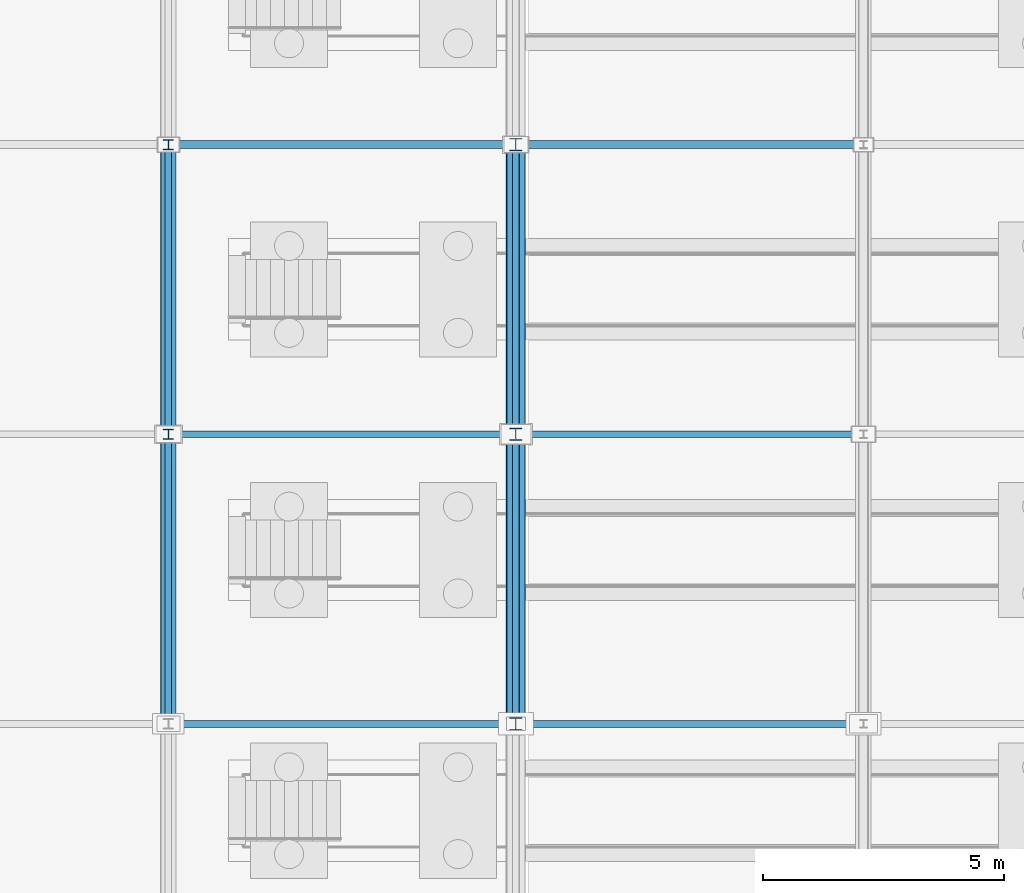
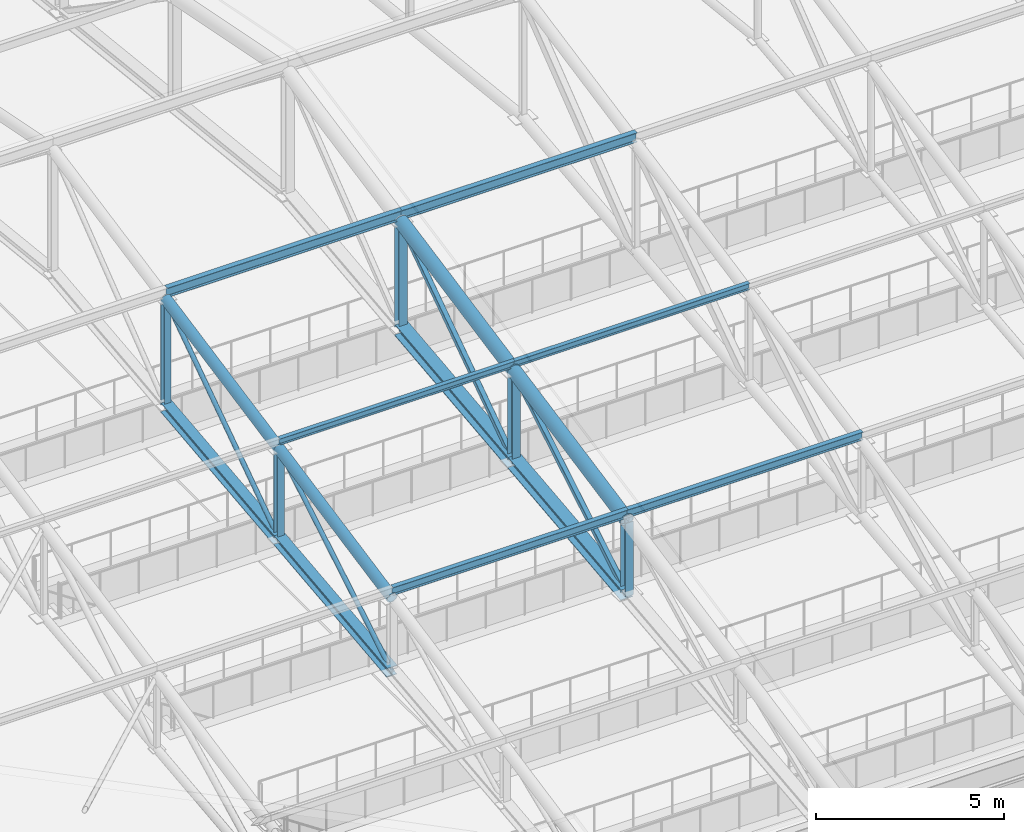
# One storey, part 119 of 293: 23 members.
"""IFC4 building model written with IfcOpenShell, lengths in metres."""

from ifc_helpers import new_model, si_unit, direction, frame, origin, origin_2d, place, context, subcontext, project, spatial, hollow_rectangle, hollow_circle, i_section, extrude, material, material_profile, profile_set, type_object, element, save


model = new_model("IFC4")

# Units and contexts
model_context = context("Model", 3, precision=1e-05, world=origin(), true_north=direction((0.0, 1.0)))
body_context = subcontext(model_context, "Body", "Model", "MODEL_VIEW")
ifc_project = project(units=[si_unit("LENGTHUNIT", "METRE"), si_unit("AREAUNIT", "SQUARE_METRE"), si_unit("VOLUMEUNIT", "CUBIC_METRE"), si_unit("PLANEANGLEUNIT", "RADIAN"), si_unit("MASSUNIT", "GRAM", prefix="KILO")], contexts=[model_context])

# Site, building, storey
site_placement = place(None, origin())
site = spatial("IfcSite", under=ifc_project, at=site_placement, CompositionType="ELEMENT")
building_placement = place(site_placement, origin())
building = spatial("IfcBuilding", under=site, at=building_placement, Name="Kemerveld Promenade Tramway Depot", CompositionType="ELEMENT")
storey_placement = place(building_placement, origin())
storey = spatial("IfcBuildingStorey", under=building, at=storey_placement, Name="L00", CompositionType="ELEMENT", Elevation=0.0)

# Members
ifc_material = material(Name="Steel S355", Category="steel")
ifc_material_profile_1 = material_profile(ifc_material, i_section(OverallWidth=0.25634765625, OverallDepth=0.26025390625, WebThickness=0.01025390625, FlangeThickness=0.017333984375, FilletRadius=0.0126953125, at=origin_2d()), Name="254x254x89 UC")
ifc_profile_set_1 = profile_set([ifc_material_profile_1], Name="Steel S355")
member_type_1 = type_object("IfcMemberType", Name="MB-M04", PredefinedType="POST", material=ifc_profile_set_1)
member_1_placement = place(storey_placement, frame((57.60009765625, 96.0, 11.1201171875), z_axis=(0.0, 0.0, 1.0), x_axis=(1.0, 0.0, 0.0)))
element("IfcMember", 1, at=member_1_placement, inside=storey, type_object=member_type_1, Name="TR-09-VT-02", PredefinedType="POST", context=body_context, shape_type="SweptSolid", body=[
    extrude(i_section(OverallWidth=0.25634765625, OverallDepth=0.26025390625, WebThickness=0.01025390625, FlangeThickness=0.017333984375, FilletRadius=0.0126953125, at=origin_2d()), origin(), (0.0, 0.0, 1.0), 2.3798828125),
])
member_2_placement = place(storey_placement, frame((57.60009765625, 102.0, 11.780029296875), z_axis=(0.0, 0.0, 1.0), x_axis=(1.0, 0.0, 0.0)))
element("IfcMember", 2, at=member_2_placement, inside=storey, type_object=member_type_1, Name="TR-09-VT-03", PredefinedType="POST", context=body_context, shape_type="SweptSolid", body=[
    extrude(i_section(OverallWidth=0.25634765625, OverallDepth=0.26025390625, WebThickness=0.01025390625, FlangeThickness=0.017333984375, FilletRadius=0.0126953125, at=origin_2d()), origin(), (0.0, 0.0, 1.0), 2.919921875),
])
member_3_placement = place(storey_placement, frame((57.60009765625, 108.0, 12.43994140625), z_axis=(0.0, 0.0, 1.0), x_axis=(1.0, 0.0, 0.0)))
element("IfcMember", 3, at=member_3_placement, inside=storey, type_object=member_type_1, Name="TR-09-VT-04", PredefinedType="POST", context=body_context, shape_type="SweptSolid", body=[
    extrude(i_section(OverallWidth=0.25634765625, OverallDepth=0.26025390625, WebThickness=0.01025390625, FlangeThickness=0.017333984375, FilletRadius=0.0126953125, at=origin_2d()), origin(), (0.0, 0.0, 1.0), 3.4599609375),
])
ifc_material_profile_2 = material_profile(ifc_material, i_section(OverallWidth=0.165771484375, OverallDepth=0.306640625, WebThickness=0.006591796875, FlangeThickness=0.01171875, FilletRadius=0.0087890625, at=origin_2d()), Name="305x165x46 UB")
ifc_profile_set_2 = profile_set([ifc_material_profile_2], Name="Steel S355")
member_type_2 = type_object("IfcMemberType", Name="MB-M06", PredefinedType="PURLIN", material=ifc_profile_set_2)
member_4_placement = place(storey_placement, frame((50.39990234375, 108.0, 16.14501953125), z_axis=(1.0, 0.0, 0.0), x_axis=(0.0, 1.0, 0.0)))
element("IfcMember", 4, at=member_4_placement, inside=storey, type_object=member_type_2, Name="PUR-V1-04-08", PredefinedType="PURLIN", context=body_context, shape_type="SweptSolid", body=[
    extrude(i_section(OverallWidth=0.165771484375, OverallDepth=0.306640625, WebThickness=0.006591796875, FlangeThickness=0.01171875, FilletRadius=0.0087890625, at=origin_2d()), origin(), (0.0, 0.0, 1.0), 7.2001953125),
])
member_5_placement = place(storey_placement, frame((57.60009765625, 108.0, 16.14501953125), z_axis=(1.0, 0.0, 0.0), x_axis=(0.0, 1.0, 0.0)))
element("IfcMember", 5, at=member_5_placement, inside=storey, type_object=member_type_2, Name="PUR-V1-04-09", PredefinedType="PURLIN", context=body_context, shape_type="SweptSolid", body=[
    extrude(i_section(OverallWidth=0.165771484375, OverallDepth=0.306640625, WebThickness=0.006591796875, FlangeThickness=0.01171875, FilletRadius=0.0087890625, at=origin_2d()), origin(), (0.0, 0.0, 1.0), 7.199951171875),
])
ifc_material_profile_3 = material_profile(ifc_material, i_section(OverallWidth=0.37255859375, OverallDepth=0.3681640625, WebThickness=0.014404296875, FlangeThickness=0.023681640625, FilletRadius=0.01513671875, at=origin_2d()), Name="356x368x177 UC")
ifc_profile_set_3 = profile_set([ifc_material_profile_3], Name="Steel S355")
member_type_3 = type_object("IfcMemberType", Name="MB-M08", PredefinedType="CHORD", material=ifc_profile_set_3)
for number, where, z_axis, x_axis, name in (
    (6, (57.60009765625, 96.0, 11.1201171875), (0.0, 0.994005938353, 0.109326092585), (-1.0, 0.0, 0.0), "TR-09-BC-03"),
    (7, (57.60009765625, 102.0, 11.780029296875), (0.0, 0.994005938353, 0.109326092585), (-1.0, 0.0, 0.0), "TR-09-BC-04"),
):
    element("IfcMember", number, at=place(storey_placement, frame(where, z_axis=z_axis, x_axis=x_axis)), inside=storey, type_object=member_type_3, Name=name, PredefinedType="CHORD", context=body_context, shape_type="SweptSolid", body=[
        extrude(i_section(OverallWidth=0.37255859375, OverallDepth=0.3681640625, WebThickness=0.014404296875, FlangeThickness=0.023681640625, FilletRadius=0.01513671875, at=origin_2d()), origin(), (0.0, 0.0, 1.0), 6.0361328125),
    ])
ifc_material_profile_4 = material_profile(ifc_material, i_section(OverallWidth=0.146484375, OverallDepth=0.256103515625, WebThickness=0.00634765625, FlangeThickness=0.010986328125, FilletRadius=0.007568359375, at=origin_2d()), Name="254x146x37 UB")
ifc_profile_set_4 = profile_set([ifc_material_profile_4], Name="Steel S355")
member_type_4 = type_object("IfcMemberType", Name="MB-PR3", PredefinedType="PURLIN", material=ifc_profile_set_4)
member_6_placement = place(storey_placement, frame((50.39990234375, 96.0, 13.7451171875), z_axis=(1.0, 0.0, 0.0), x_axis=(0.0, 1.0, 0.0)))
element("IfcMember", 8, at=member_6_placement, inside=storey, type_object=member_type_4, Name="PUR-V1-02-08", PredefinedType="PURLIN", context=body_context, shape_type="SweptSolid", body=[
    extrude(i_section(OverallWidth=0.146484375, OverallDepth=0.256103515625, WebThickness=0.00634765625, FlangeThickness=0.010986328125, FilletRadius=0.007568359375, at=origin_2d()), origin(), (0.0, 0.0, 1.0), 7.2001953125),
])
member_7_placement = place(storey_placement, frame((57.60009765625, 96.0, 13.7451171875), z_axis=(1.0, 0.0, 0.0), x_axis=(0.0, 1.0, 0.0)))
element("IfcMember", 9, at=member_7_placement, inside=storey, type_object=member_type_4, Name="PUR-V1-02-09", PredefinedType="PURLIN", context=body_context, shape_type="SweptSolid", body=[
    extrude(i_section(OverallWidth=0.146484375, OverallDepth=0.256103515625, WebThickness=0.00634765625, FlangeThickness=0.010986328125, FilletRadius=0.007568359375, at=origin_2d()), origin(), (0.0, 0.0, 1.0), 7.199951171875),
])
ifc_material_profile_5 = material_profile(ifc_material, i_section(OverallWidth=0.13330078125, OverallDepth=0.203125, WebThickness=0.005615234375, FlangeThickness=0.0078125, FilletRadius=0.007568359375, at=origin_2d()), Name="203x133x25 UB")
ifc_profile_set_5 = profile_set([ifc_material_profile_5], Name="Steel S355")
member_type_5 = type_object("IfcMemberType", Name="MB-PR4", PredefinedType="PURLIN", material=ifc_profile_set_5)
member_8_placement = place(storey_placement, frame((50.39990234375, 102.0, 14.945068359375), z_axis=(1.0, 0.0, 0.0), x_axis=(0.0, 1.0, 0.0)))
element("IfcMember", 10, at=member_8_placement, inside=storey, type_object=member_type_5, Name="PUR-V1-03-08", PredefinedType="PURLIN", context=body_context, shape_type="SweptSolid", body=[
    extrude(i_section(OverallWidth=0.13330078125, OverallDepth=0.203125, WebThickness=0.005615234375, FlangeThickness=0.0078125, FilletRadius=0.007568359375, at=origin_2d()), origin(), (0.0, 0.0, 1.0), 7.2001953125),
])
member_9_placement = place(storey_placement, frame((57.60009765625, 102.0, 14.945068359375), z_axis=(1.0, 0.0, 0.0), x_axis=(0.0, 1.0, 0.0)))
element("IfcMember", 11, at=member_9_placement, inside=storey, type_object=member_type_5, Name="PUR-V1-03-09", PredefinedType="PURLIN", context=body_context, shape_type="SweptSolid", body=[
    extrude(i_section(OverallWidth=0.13330078125, OverallDepth=0.203125, WebThickness=0.005615234375, FlangeThickness=0.0078125, FilletRadius=0.007568359375, at=origin_2d()), origin(), (0.0, 0.0, 1.0), 7.199951171875),
])
ifc_material_profile_6 = material_profile(ifc_material, hollow_circle(Radius=0.06982421875, WallThickness=0.00634765625, at=origin_2d()), Name="139.7x6.3 CHS")
ifc_profile_set_6 = profile_set([ifc_material_profile_6], Name="Steel S355")
member_type_6 = type_object("IfcMemberType", Name="MB-TB3", PredefinedType="BRACE", material=ifc_profile_set_6)
member_10_placement = place(storey_placement, frame((50.39990234375, 96.0, 11.1201171875), z_axis=(0.0, 0.8587636701, 0.512371895128), x_axis=(-1.0, 0.0, 0.0)))
element("IfcMember", 12, at=member_10_placement, inside=storey, type_object=member_type_6, Name="TR-08-DG-03", PredefinedType="BRACE", context=body_context, shape_type="SweptSolid", body=[
    extrude(hollow_circle(Radius=0.06982421875, WallThickness=0.00634765625, at=origin_2d()), origin(), (0.0, 0.0, 1.0), 6.98681640625),
])
member_11_placement = place(storey_placement, frame((50.39990234375, 102.0, 11.780029296875), z_axis=(0.0, 0.824370638462, 0.566050395673), x_axis=(-1.0, 0.0, 0.0)))
element("IfcMember", 13, at=member_11_placement, inside=storey, type_object=member_type_6, Name="TR-08-DG-04", PredefinedType="BRACE", context=body_context, shape_type="SweptSolid", body=[
    extrude(hollow_circle(Radius=0.06982421875, WallThickness=0.00634765625, at=origin_2d()), origin(), (0.0, 0.0, 1.0), 7.2783203125),
])
ifc_material_profile_7 = material_profile(ifc_material, hollow_rectangle(XDim=0.14990234375, YDim=0.14990234375, WallThickness=0.008056640625, InnerFilletRadius=0.00390625, OuterFilletRadius=0.011962890625, at=origin_2d()), Name="150x150x8.0 SHS")
ifc_profile_set_7 = profile_set([ifc_material_profile_7], Name="Steel S355")
member_type_7 = type_object("IfcMemberType", Name="MB-TB4", PredefinedType="BRACE", material=ifc_profile_set_7)
member_12_placement = place(storey_placement, frame((57.60009765625, 96.0, 11.1201171875), z_axis=(0.0, 0.8587636701, 0.512371895128), x_axis=(-1.0, 0.0, 0.0)))
element("IfcMember", 14, at=member_12_placement, inside=storey, type_object=member_type_7, Name="TR-09-DG-03", PredefinedType="BRACE", context=body_context, shape_type="SweptSolid", body=[
    extrude(hollow_rectangle(XDim=0.14990234375, YDim=0.14990234375, WallThickness=0.008056640625, InnerFilletRadius=0.00390625, OuterFilletRadius=0.011962890625, at=origin_2d()), origin(), (0.0, 0.0, 1.0), 6.98681640625),
])
member_13_placement = place(storey_placement, frame((57.60009765625, 102.0, 11.780029296875), z_axis=(0.0, 0.824370638462, 0.566050395673), x_axis=(-1.0, 0.0, 0.0)))
element("IfcMember", 15, at=member_13_placement, inside=storey, type_object=member_type_7, Name="TR-09-DG-04", PredefinedType="BRACE", context=body_context, shape_type="SweptSolid", body=[
    extrude(hollow_rectangle(XDim=0.14990234375, YDim=0.14990234375, WallThickness=0.008056640625, InnerFilletRadius=0.00390625, OuterFilletRadius=0.011962890625, at=origin_2d()), origin(), (0.0, 0.0, 1.0), 7.2783203125),
])
ifc_material_profile_8 = material_profile(ifc_material, hollow_circle(Radius=0.203125, WallThickness=0.01611328125, at=origin_2d()), Name="406.4x16.0 CHS")
ifc_profile_set_8 = profile_set([ifc_material_profile_8], Name="Steel S355")
member_type_8 = type_object("IfcMemberType", Name="MB-TC1", PredefinedType="CHORD", material=ifc_profile_set_8)
for number, where, z_axis, x_axis, name in (
    (16, (57.60009765625, 96.0, 13.5), (0.0, 0.980582210276, 0.196108462057), (-1.0, 0.0, 0.0), "TR-09-TC-03"),
    (17, (57.60009765625, 102.0, 14.699951171875), (0.0, 0.980582210276, 0.196108462057), (-1.0, 0.0, 0.0), "TR-09-TC-04"),
):
    element("IfcMember", number, at=place(storey_placement, frame(where, z_axis=z_axis, x_axis=x_axis)), inside=storey, type_object=member_type_8, Name=name, PredefinedType="CHORD", context=body_context, shape_type="SweptSolid", body=[
        extrude(hollow_circle(Radius=0.203125, WallThickness=0.01611328125, at=origin_2d()), origin(), (0.0, 0.0, 1.0), 6.118896484375),
    ])
ifc_material_profile_9 = material_profile(ifc_material, hollow_circle(Radius=0.161865234375, WallThickness=0.012451171875, at=origin_2d()), Name="323.9x12.5 CHS")
ifc_profile_set_9 = profile_set([ifc_material_profile_9], Name="Steel S355")
member_type_9 = type_object("IfcMemberType", Name="MB-TC2", PredefinedType="CHORD", material=ifc_profile_set_9)
for number, where, z_axis, x_axis, name in (
    (18, (50.39990234375, 96.0, 13.5), (0.0, 0.980582210276, 0.196108462057), (-1.0, 0.0, 0.0), "TR-08-TC-03"),
    (19, (50.39990234375, 102.0, 14.699951171875), (0.0, 0.980582210276, 0.196108462057), (-1.0, 0.0, 0.0), "TR-08-TC-04"),
):
    element("IfcMember", number, at=place(storey_placement, frame(where, z_axis=z_axis, x_axis=x_axis)), inside=storey, type_object=member_type_9, Name=name, PredefinedType="CHORD", context=body_context, shape_type="SweptSolid", body=[
        extrude(hollow_circle(Radius=0.161865234375, WallThickness=0.012451171875, at=origin_2d()), origin(), (0.0, 0.0, 1.0), 6.118896484375),
    ])
ifc_material_profile_10 = material_profile(ifc_material, i_section(OverallWidth=0.307373046875, OverallDepth=0.314453125, WebThickness=0.011962890625, FlangeThickness=0.018798828125, FilletRadius=0.01513671875, at=origin_2d()), Name="305x305x118 UC")
ifc_profile_set_10 = profile_set([ifc_material_profile_10], Name="Steel S355")
member_type_10 = type_object("IfcMemberType", Name="MB-TC4", PredefinedType="CHORD", material=ifc_profile_set_10)
for number, where, z_axis, x_axis, name in (
    (20, (50.39990234375, 96.0, 11.1201171875), (0.0, 0.994005938353, 0.109326092585), (-1.0, 0.0, 0.0), "TR-08-BC-03"),
    (21, (50.39990234375, 102.0, 11.780029296875), (0.0, 0.994005938353, 0.109326092585), (-1.0, 0.0, 0.0), "TR-08-BC-04"),
):
    element("IfcMember", number, at=place(storey_placement, frame(where, z_axis=z_axis, x_axis=x_axis)), inside=storey, type_object=member_type_10, Name=name, PredefinedType="CHORD", context=body_context, shape_type="SweptSolid", body=[
        extrude(i_section(OverallWidth=0.307373046875, OverallDepth=0.314453125, WebThickness=0.011962890625, FlangeThickness=0.018798828125, FilletRadius=0.01513671875, at=origin_2d()), origin(), (0.0, 0.0, 1.0), 6.0361328125),
    ])
ifc_material_profile_11 = material_profile(ifc_material, i_section(OverallWidth=0.205810546875, OverallDepth=0.209716796875, WebThickness=0.009521484375, FlangeThickness=0.01416015625, FilletRadius=0.01025390625, at=origin_2d()), Name="203x203x60 UC")
ifc_profile_set_11 = profile_set([ifc_material_profile_11], Name="Steel S355")
member_type_11 = type_object("IfcMemberType", Name="MB-TP3", PredefinedType="POST", material=ifc_profile_set_11)
member_14_placement = place(storey_placement, frame((50.39990234375, 102.0, 11.780029296875), z_axis=(0.0, 0.0, 1.0), x_axis=(1.0, 0.0, 0.0)))
element("IfcMember", 22, at=member_14_placement, inside=storey, type_object=member_type_11, Name="TR-08-VT-03", PredefinedType="POST", context=body_context, shape_type="SweptSolid", body=[
    extrude(i_section(OverallWidth=0.205810546875, OverallDepth=0.209716796875, WebThickness=0.009521484375, FlangeThickness=0.01416015625, FilletRadius=0.01025390625, at=origin_2d()), origin(), (0.0, 0.0, 1.0), 2.919921875),
])
member_15_placement = place(storey_placement, frame((50.39990234375, 108.0, 12.43994140625), z_axis=(0.0, 0.0, 1.0), x_axis=(1.0, 0.0, 0.0)))
element("IfcMember", 23, at=member_15_placement, inside=storey, type_object=member_type_11, Name="TR-08-VT-04", PredefinedType="POST", context=body_context, shape_type="SweptSolid", body=[
    extrude(i_section(OverallWidth=0.205810546875, OverallDepth=0.209716796875, WebThickness=0.009521484375, FlangeThickness=0.01416015625, FilletRadius=0.01025390625, at=origin_2d()), origin(), (0.0, 0.0, 1.0), 3.4599609375),
])

save(model, "model.ifc")
